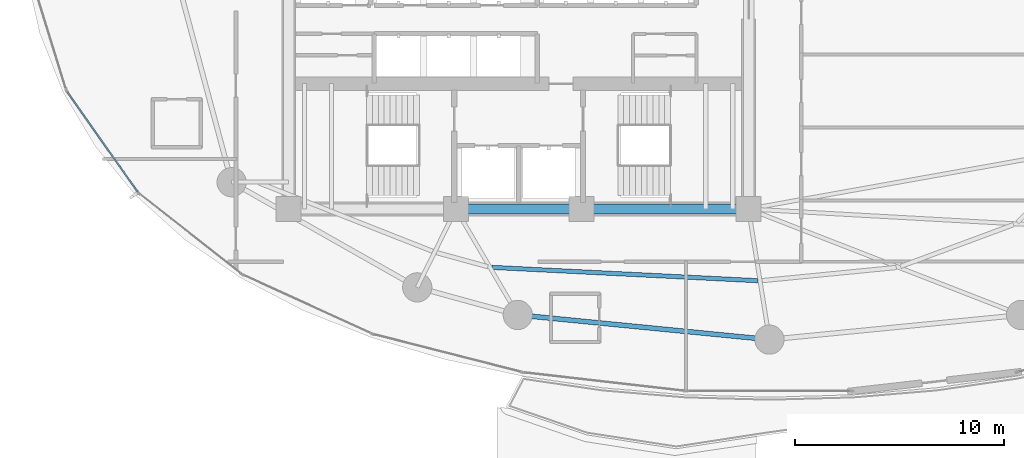
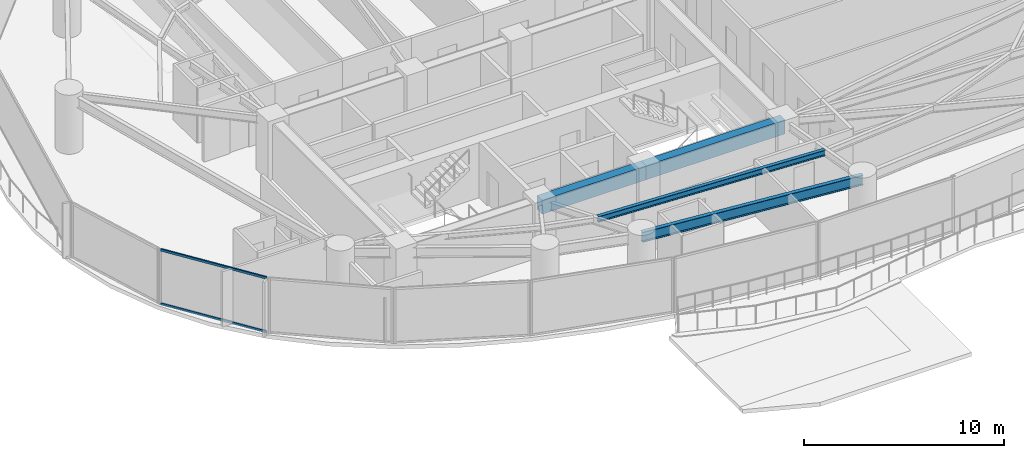
# One storey, part 6 of 32: 4 beams, 2 members, 1 element without a shape of its own.
"""IFC4 building model written with IfcOpenShell, lengths in metres."""

from ifc_helpers import new_model, si_unit, direction, frame, origin, origin_2d, place, context, subcontext, project, spatial, rectangle, hollow_rectangle, i_section, extrude, material, layer, layer_set, material_profile, profile_set, type_object, element, aggregate, save


model = new_model("IFC4")

# Units and contexts
model_context = context("Model", 3, precision=1e-05, world=origin(), true_north=direction((0.0, 1.0)))
body_context = subcontext(model_context, "Body", "Model", "MODEL_VIEW")
ifc_project = project(units=[si_unit("LENGTHUNIT", "METRE"), si_unit("AREAUNIT", "SQUARE_METRE"), si_unit("VOLUMEUNIT", "CUBIC_METRE"), si_unit("PLANEANGLEUNIT", "RADIAN"), si_unit("MASSUNIT", "GRAM", prefix="KILO")], contexts=[model_context])

# Site, building, storey
site_placement = place(None, origin())
site = spatial("IfcSite", under=ifc_project, at=site_placement, CompositionType="ELEMENT")
building_placement = place(site_placement, origin())
building = spatial("IfcBuilding", under=site, at=building_placement, Name="Kazevale Care Tower and Concert Hall", CompositionType="ELEMENT")
storey_placement = place(building_placement, frame((0.0, 0.0, 24.0)))
storey = spatial("IfcBuildingStorey", under=building, at=storey_placement, Name="L05", CompositionType="ELEMENT", Elevation=24.0)

# Curtain wall, members
ifc_material_1 = material(Name="Aluminium 6063-T6 and Low-E Glass", Category="aluminium")
ifc_layer = layer(ifc_material_1, 0.179931640625)
ifc_layer_set = layer_set([ifc_layer], Name="Aluminium 6063-T6 and Low-E Glass")
curtain_wall_type = type_object("IfcCurtainWallType", Name="Waist & Upper Residential Curtain Wall CW-4", PredefinedType="NOTDEFINED", material=ifc_layer_set)
curtain_wall_placement = place(storey_placement, origin())
curtain_wall = element("IfcCurtainWall", 1, at=curtain_wall_placement, inside=storey, type_object=curtain_wall_type, Name="cw:L05:f11", PredefinedType="NOTDEFINED")
ifc_material_2 = material(Name="Aluminium 6063-T6", Category="aluminium")
ifc_material_profile_1 = material_profile(ifc_material_2, hollow_rectangle(XDim=0.080078125, YDim=0.139892578125, WallThickness=0.00390625, at=origin_2d()), Name="ALU80x140x4")
ifc_profile_set_1 = profile_set([ifc_material_profile_1], Name="Aluminium 6063-T6")
member_type = type_object("IfcMemberType", Name="CW-4 Transom ALU80x140x4", PredefinedType="USERDEFINED", material=ifc_profile_set_1)
member_1_placement = place(storey_placement, frame((14.77197265625, 24.429443359375, 0.0400390625), z_axis=(-0.575850423039, 0.817555068657, 0.0), x_axis=(-0.817555068657, -0.575850423039, 0.0)))
member_1 = element("IfcMember", 2, at=member_1_placement, type_object=member_type, Name="CW-4 transom 1.1", ObjectType="TRANSOM", PredefinedType="USERDEFINED", context=body_context, shape_type="SweptSolid", body=[
    extrude(hollow_rectangle(XDim=0.080078125, YDim=0.139892578125, WallThickness=0.00390625, at=origin_2d()), origin(), (0.0, 0.0, 1.0), 5.826171875),
])
member_2_placement = place(storey_placement, frame((14.77197265625, 24.429443359375, 3.320068359375), z_axis=(-0.575850423039, 0.817555068657, 0.0), x_axis=(-0.817555068657, -0.575850423039, 0.0)))
member_2 = element("IfcMember", 3, at=member_2_placement, type_object=member_type, Name="CW-4 transom 1.2", ObjectType="TRANSOM", PredefinedType="USERDEFINED", context=body_context, shape_type="SweptSolid", body=[
    extrude(hollow_rectangle(XDim=0.080078125, YDim=0.139892578125, WallThickness=0.00390625, at=origin_2d()), origin(), (0.0, 0.0, 1.0), 5.826171875),
])
aggregate(curtain_wall, [member_1, member_2])

# Beams
ifc_material_3 = material(Name="Concrete C60", Category="concrete")
ifc_material_profile_2 = material_profile(ifc_material_3, rectangle(XDim=0.5, YDim=0.85009765625, at=origin_2d()), Name="RC-B500x850")
ifc_profile_set_2 = profile_set([ifc_material_profile_2], Name="Concrete C60")
beam_type_1 = type_object("IfcBeamType", Name="Core Coupling Beam RC500x850", PredefinedType="LINTEL", material=ifc_profile_set_2)
beam_1_placement = place(storey_placement, frame((30.0, 23.60009765625, 2.93505859375), z_axis=(1.0, 0.0, 0.0), x_axis=(0.0, 1.0, 0.0)))
element("IfcBeam", 4, at=beam_1_placement, inside=storey, type_object=beam_type_1, Name="beam:L05:coretie:2", PredefinedType="LINTEL", context=body_context, shape_type="SweptSolid", body=[
    extrude(rectangle(XDim=0.5, YDim=0.85009765625, at=origin_2d()), origin(), (0.0, 0.0, 1.0), 6.0),
])
beam_2_placement = place(storey_placement, frame((36.0, 23.60009765625, 2.93505859375), z_axis=(1.0, 0.0, 0.0), x_axis=(0.0, 1.0, 0.0)))
element("IfcBeam", 5, at=beam_2_placement, inside=storey, type_object=beam_type_1, Name="beam:L05:coretie:3", PredefinedType="LINTEL", context=body_context, shape_type="SweptSolid", body=[
    extrude(rectangle(XDim=0.5, YDim=0.85009765625, at=origin_2d()), origin(), (0.0, 0.0, 1.0), 8.0),
])
ifc_material_4 = material(Name="Steel ASTM A572 Gr 50", Category="steel")
ifc_material_profile_3 = material_profile(ifc_material_4, i_section(OverallWidth=0.22900390625, OverallDepth=0.612060546875, WebThickness=0.011962890625, FlangeThickness=0.01953125, at=origin_2d()), Name="W610x125")
ifc_profile_set_3 = profile_set([ifc_material_profile_3], Name="Steel ASTM A572 Gr 50")
beam_type_2 = type_object("IfcBeamType", Name="Ring Spandrel Beam W610x125", PredefinedType="SPANDREL", material=ifc_profile_set_3)
beam_3_placement = place(storey_placement, frame((32.9599609375, 18.530029296875, 3.053955078125), z_axis=(0.995232251602, -0.09753340644, 0.0), x_axis=(0.09753340644, 0.995232251602, 0.0)))
element("IfcBeam", 6, at=beam_3_placement, inside=storey, type_object=beam_type_2, Name="beam:L05:ring:12", PredefinedType="SPANDREL", context=body_context, shape_type="SweptSolid", body=[
    extrude(i_section(OverallWidth=0.22900390625, OverallDepth=0.612060546875, WebThickness=0.011962890625, FlangeThickness=0.01953125, at=origin_2d()), origin(), (0.0, 0.0, 1.0), 12.09765625),
])
ifc_material_profile_4 = material_profile(ifc_material_4, i_section(OverallWidth=0.205078125, OverallDepth=0.35400390625, WebThickness=0.009521484375, FlangeThickness=0.016845703125, at=origin_2d()), Name="W360x79")
ifc_profile_set_4 = profile_set([ifc_material_profile_4], Name="Steel ASTM A572 Gr 50")
beam_type_3 = type_object("IfcBeamType", Name="Secondary Floor Joist W360x79", PredefinedType="JOIST", material=ifc_profile_set_4)
beam_4_placement = place(storey_placement, frame((31.73291015625, 20.805908203125, 3.18310546875), z_axis=(0.998743186005, -0.050120339262, 0.0), x_axis=(0.050120339262, 0.998743186005, 0.0)))
element("IfcBeam", 7, at=beam_4_placement, inside=storey, type_object=beam_type_3, Name="beam:L05:joist:12", PredefinedType="JOIST", context=body_context, shape_type="SweptSolid", body=[
    extrude(i_section(OverallWidth=0.205078125, OverallDepth=0.35400390625, WebThickness=0.009521484375, FlangeThickness=0.016845703125, at=origin_2d()), origin(), (0.0, 0.0, 1.0), 12.728271484375),
])

save(model, "model.ifc")
